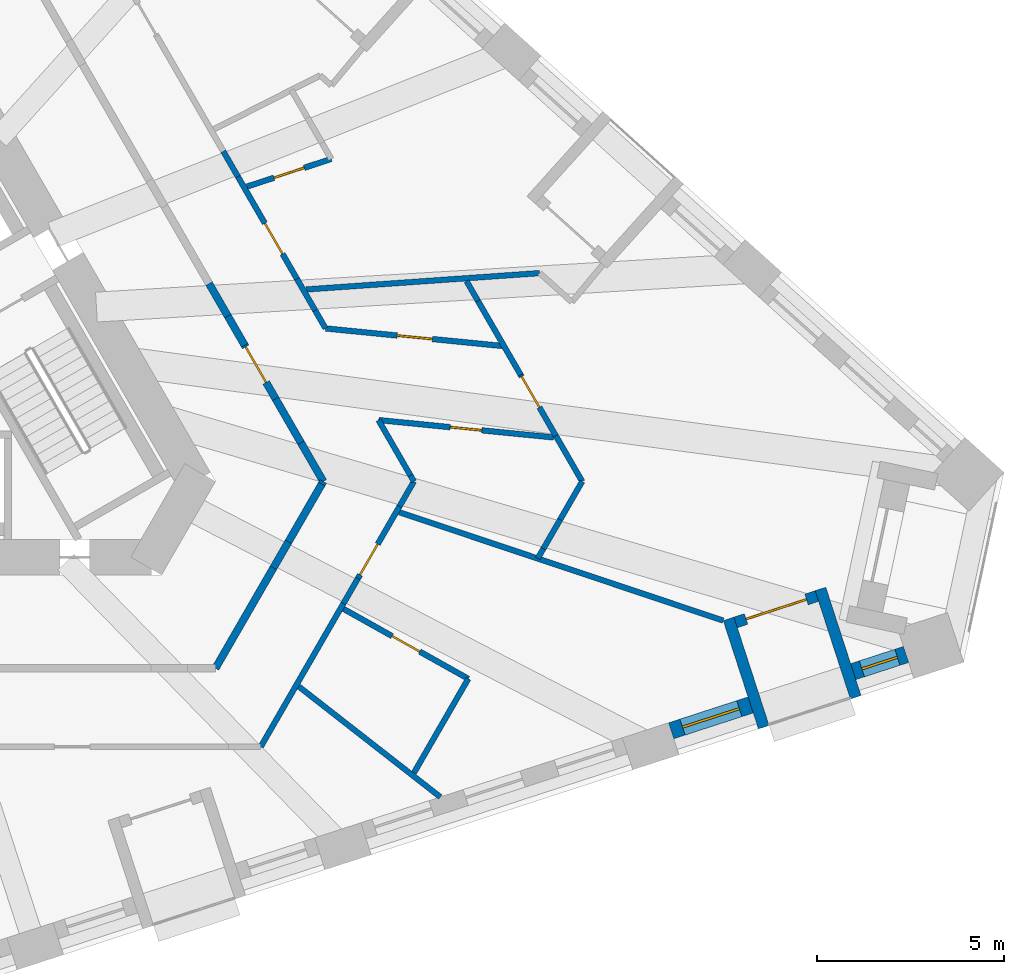
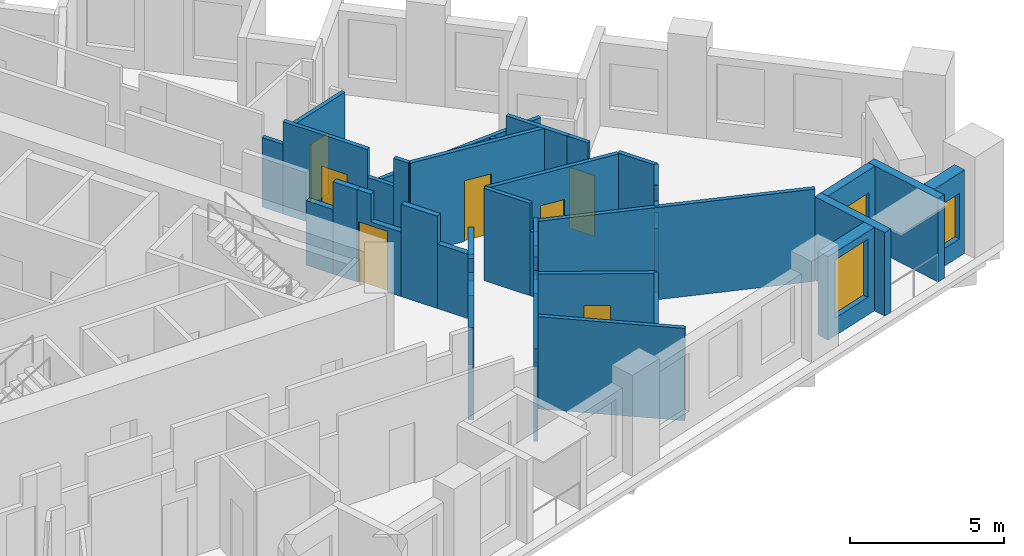
# One storey, part 6 of 13: 39 walls, 9 doors, 2 windows, 11 openings.
"""IFC4 building model written with IfcOpenShell, lengths in metres."""

from ifc_helpers import new_model, si_unit, direction, frame, frame_2d, origin, place, context, subcontext, project, spatial, polyline, rectangle, outline, extrude, material, layer, layer_set, type_object, element, fill, save


model = new_model("IFC4")

# Units and contexts
model_context = context("Model", 3, precision=1e-05, world=origin(), true_north=direction((0.0, 1.0)))
body_context = subcontext(model_context, "Body", "Model", "MODEL_VIEW")
ifc_project = project(units=[si_unit("LENGTHUNIT", "METRE"), si_unit("AREAUNIT", "SQUARE_METRE"), si_unit("VOLUMEUNIT", "CUBIC_METRE"), si_unit("PLANEANGLEUNIT", "RADIAN"), si_unit("MASSUNIT", "GRAM", prefix="KILO")], contexts=[model_context])

# Site, building, storey
site_placement = place(None, origin())
site = spatial("IfcSite", under=ifc_project, at=site_placement, CompositionType="ELEMENT")
building_placement = place(site_placement, origin())
building = spatial("IfcBuilding", under=site, at=building_placement, Name="Tramontana Tower", CompositionType="ELEMENT")
storey_placement = place(building_placement, frame((0.0, 0.0, 104.39990234375)))
storey = spatial("IfcBuildingStorey", under=building, at=storey_placement, Name="L23", CompositionType="ELEMENT", Elevation=104.39990234375)

# Walls
ifc_material_1 = material(Name="Blockwork", Category="masonry")
ifc_layer_1 = layer(ifc_material_1, 0.199951171875)
ifc_layer_set_1 = layer_set([ifc_layer_1], Name="ENTRY WALL 200")
wall_type_1 = type_object("IfcWallType", Name="ENTRY WALL 200", PredefinedType="SOLIDWALL", material=ifc_layer_set_1)
wall_1_placement = place(storey_placement, frame((10.077392578125, 1.04541015625, 0.0), z_axis=(0.0, 0.0, 1.0), x_axis=(0.500051323872, -0.865995769906, 0.0)))
element("IfcWall", 1, at=wall_1_placement, inside=storey, type_object=wall_type_1, Name="Wall v21-ew0-7", PredefinedType="SOLIDWALL", context=body_context, shape_type="SweptSolid", body=[
    extrude(rectangle(XDim=1.0068359375, YDim=0.199951171875, at=frame_2d((0.50341796875, 0.0))), origin(), (0.0, 0.0, 1.0), 2.550048828125),
])
wall_2_placement = place(storey_placement, frame((10.580810546875, 0.173583984375, 0.0), z_axis=(0.0, 0.0, 1.0), x_axis=(0.499902469156, -0.866081705922, 0.0)))
element("IfcWall", 2, at=wall_2_placement, inside=storey, type_object=wall_type_1, Name="Wall v21-ew0-8", PredefinedType="SOLIDWALL", context=body_context, shape_type="SweptSolid", body=[
    extrude(rectangle(XDim=0.900146484375, YDim=0.199951171875, at=frame_2d((0.4501953125, 0.0))), origin(), (0.0, 0.0, 1.0), 3.650146484375),
])

# Wall, opening, door
wall_3_placement = place(storey_placement, frame((11.03076171875, -0.60595703125, 0.0), z_axis=(0.0, 0.0, 1.0), x_axis=(0.49997779057, -0.866038226025, 0.0)))
wall_3 = element("IfcWall", 3, at=wall_3_placement, inside=storey, type_object=wall_type_1, Name="Wall v21-ew0-9", PredefinedType="SOLIDWALL", context=body_context, shape_type="SweptSolid", body=[
    extrude(outline(polyline([(0.0, 0.0), (1.6552734375, 0.0), (1.655517578125, 2.550048828125), (0.519287109375, 2.550048828125), (0.519287109375, 3.650146484375), (0.0, 3.650146484375), (0.0, 0.0)])), frame((0.0, 0.10009765625, 0.0), z_axis=(0.0, -1.0, 0.0), x_axis=(1.0, 0.0, 0.0)), (0.0, 0.0, 1.0), 0.199951171875),
])
opening_1_placement = place(wall_3_placement, frame((0.050048828125, 0.0, 0.0)))
opening_1 = element("IfcOpeningElement", 4, at=opening_1_placement, cuts=wall_3, Name="Opening B2B-28", PredefinedType="OPENING", context=body_context, shape_type="SweptSolid", body=[
    extrude(rectangle(XDim=1.10009765625, YDim=2.39990234375, at=frame_2d((0.550048828125, 1.199951171875))), frame((0.0, 0.10986328125, 0.0), z_axis=(0.0, -1.0, 0.0), x_axis=(1.0, 0.0, 0.0)), (0.0, 0.0, 1.0), 0.219970703125),
])
ifc_material_2 = material(Name="Painted timber", Category="wood")
door_type_1 = type_object("IfcDoorType", Name="DOOR ENTRY 1100", OperationType="SINGLE_SWING_LEFT", PredefinedType="DOOR", material=ifc_material_2)
door_1_placement = place(opening_1_placement, origin())
door_1 = element("IfcDoor", 5, at=door_1_placement, inside=storey, type_object=door_type_1, Name="Door B2B-28", OperationType="SINGLE_SWING_RIGHT", OverallHeight=2.39990234375, OverallWidth=1.10009765625, PredefinedType="DOOR", context=body_context, shape_type="SweptSolid", body=[
    extrude(rectangle(XDim=1.10009765625, YDim=2.39990234375, at=frame_2d((0.550048828125, 1.199951171875))), frame((0.0, 0.02490234375, 0.0), z_axis=(0.0, -1.0, 0.0), x_axis=(1.0, 0.0, 0.0)), (0.0, 0.0, 1.0), 0.050048828125),
])
fill(opening_1, door_1)

# Walls
wall_4_placement = place(storey_placement, frame((11.8583984375, -2.03955078125, 0.0), z_axis=(0.0, 0.0, 1.0), x_axis=(0.500038357328, -0.866003257038, 0.0)))
element("IfcWall", 6, at=wall_4_placement, inside=storey, type_object=wall_type_1, Name="Wall v21-ew0-10", PredefinedType="SOLIDWALL", context=body_context, shape_type="SweptSolid", body=[
    extrude(rectangle(XDim=1.3603515625, YDim=0.199951171875, at=frame_2d((0.68017578125, 0.0))), origin(), (0.0, 0.0, 1.0), 3.650146484375),
])
wall_5_placement = place(storey_placement, frame((12.53857421875, -3.217529296875, 0.0), z_axis=(0.0, 0.0, 1.0), x_axis=(0.500059236744, -0.865991200733, 0.0)))
element("IfcWall", 7, at=wall_5_placement, inside=storey, type_object=wall_type_1, Name="Wall v21-ew0-11", PredefinedType="SOLIDWALL", context=body_context, shape_type="SweptSolid", body=[
    extrude(rectangle(XDim=1.192138671875, YDim=0.199951171875, at=frame_2d((0.59619140625, 0.0))), origin(), (0.0, 0.0, 1.0), 2.550048828125),
])
wall_6_placement = place(storey_placement, frame((13.134765625, -4.25, 0.0), z_axis=(0.0, 0.0, 1.0), x_axis=(-0.501397775159, -0.865216892499, 0.0)))
element("IfcWall", 8, at=wall_6_placement, inside=storey, type_object=wall_type_1, Name="Wall v21-ew1-0", PredefinedType="SOLIDWALL", context=body_context, shape_type="SweptSolid", body=[
    extrude(rectangle(XDim=0.079833984375, YDim=0.199951171875, at=frame_2d((0.0400390625, 0.0))), origin(), (0.0, 0.0, 1.0), 2.550048828125),
])
wall_7_placement = place(storey_placement, frame((13.0947265625, -4.319091796875, 0.0), z_axis=(0.0, 0.0, 1.0), x_axis=(-0.499986405537, -0.866033252409, 0.0)))
element("IfcWall", 9, at=wall_7_placement, inside=storey, type_object=wall_type_1, Name="Wall v21-ew1-1", PredefinedType="SOLIDWALL", context=body_context, shape_type="SweptSolid", body=[
    extrude(rectangle(XDim=1.7880859375, YDim=0.199951171875, at=frame_2d((0.89404296875, 0.0))), origin(), (0.0, 0.0, 1.0), 3.650146484375),
])
wall_8_placement = place(storey_placement, frame((12.20068359375, -5.86767578125, 0.0), z_axis=(0.0, 0.0, 1.0), x_axis=(-0.499942357345, -0.866058681229, 0.0)))
element("IfcWall", 10, at=wall_8_placement, inside=storey, type_object=wall_type_1, Name="Wall v21-ew1-2", PredefinedType="SOLIDWALL", context=body_context, shape_type="SweptSolid", body=[
    extrude(rectangle(XDim=0.80078125, YDim=0.199951171875, at=frame_2d((0.400390625, 0.0))), origin(), (0.0, 0.0, 1.0), 2.75),
])
wall_9_placement = place(storey_placement, frame((11.80029296875, -6.561279296875, 0.0), z_axis=(0.0, 0.0, 1.0), x_axis=(-0.499978855264, -0.866037611359, 0.0)))
element("IfcWall", 11, at=wall_9_placement, inside=storey, type_object=wall_type_1, Name="Wall v21-ew1-3", PredefinedType="SOLIDWALL", context=body_context, shape_type="SweptSolid", body=[
    extrude(rectangle(XDim=3.104736328125, YDim=0.199951171875, at=frame_2d((1.55224609375, 0.0))), origin(), (0.0, 0.0, 1.0), 3.650146484375),
])

# Wall, opening, window
ifc_material_3 = material(Name="Precast concrete 60 MPa", Category="concrete")
ifc_layer_2 = layer(ifc_material_3, 0.449951171875)
ifc_layer_set_2 = layer_set([ifc_layer_2], Name="Precast concrete 60 MPa, 450 mm")
wall_type_2 = type_object("IfcWallType", Name="EW1 Stone-faced precast wall 450", PredefinedType="SOLIDWALL", material=ifc_layer_set_2)
wall_10_placement = place(storey_placement, frame((22.444580078125, -10.923828125, 0.0), z_axis=(0.0, 0.0, 1.0), x_axis=(0.951067749801, 0.30898241906, 0.0)))
wall_10 = element("IfcWall", 12, at=wall_10_placement, inside=storey, type_object=wall_type_2, Name="External wall L23 face 1 bay 6", PredefinedType="SOLIDWALL", context=body_context, shape_type="SweptSolid", body=[
    extrude(rectangle(XDim=2.23681640625, YDim=0.449951171875, at=frame_2d((1.118408203125, 0.0))), origin(), (0.0, 0.0, 1.0), 3.300048828125),
])
opening_2_placement = place(wall_10_placement, frame((0.318359375, 0.0, 0.699951171875)))
opening_2 = element("IfcOpeningElement", 13, at=opening_2_placement, cuts=wall_10, Name="Opening M1", PredefinedType="OPENING", context=body_context, shape_type="SweptSolid", body=[
    extrude(rectangle(XDim=1.60009765625, YDim=2.300048828125, at=frame_2d((0.800048828125, 1.14990234375))), frame((0.0, 0.23486328125, 0.0), z_axis=(0.0, -1.0, 0.0), x_axis=(1.0, 0.0, 0.0)), (0.0, 0.0, 1.0), 0.469970703125),
])
ifc_material_4 = material(Name="Aluminum frame, double glazing unit", Category="aluminium")
window_type_1 = type_object("IfcWindowType", Name="M1 Window 1.6 x 2.3", PartitioningType="SINGLE_PANEL", PredefinedType="WINDOW", material=ifc_material_4)
window_1_placement = place(opening_2_placement, origin())
window_1 = element("IfcWindow", 14, at=window_1_placement, inside=storey, type_object=window_type_1, Name="Window M1 L23 face 1 module 16", OverallHeight=2.300048828125, OverallWidth=1.60009765625, PartitioningType="SINGLE_PANEL", PredefinedType="WINDOW", context=body_context, shape_type="SweptSolid", body=[
    extrude(rectangle(XDim=1.60009765625, YDim=2.300048828125, at=frame_2d((0.800048828125, 1.14990234375))), frame((0.0, 0.030029296875, 0.0), z_axis=(0.0, -1.0, 0.0), x_axis=(1.0, 0.0, 0.0)), (0.0, 0.0, 1.0), 0.06005859375),
])
fill(opening_2, window_1)

wall_11_placement = place(storey_placement, frame((27.3173828125, -9.340576171875, 0.0), z_axis=(0.0, 0.0, 1.0), x_axis=(0.951053373744, 0.309026665985, 0.0)))
wall_11 = element("IfcWall", 15, at=wall_11_placement, inside=storey, type_object=wall_type_2, Name="External wall L23 face 1 bay 6", PredefinedType="SOLIDWALL", context=body_context, shape_type="SweptSolid", body=[
    extrude(rectangle(XDim=1.48681640625, YDim=0.449951171875, at=frame_2d((0.743408203125, 0.0))), origin(), (0.0, 0.0, 1.0), 3.300048828125),
])
opening_3_placement = place(wall_11_placement, frame((0.243408203125, 0.0, 0.699951171875)))
opening_3 = element("IfcOpeningElement", 16, at=opening_3_placement, cuts=wall_11, Name="Opening N1L", PredefinedType="OPENING", context=body_context, shape_type="SweptSolid", body=[
    extrude(rectangle(XDim=1.0, YDim=1.800048828125, at=frame_2d((0.5, 0.89990234375))), frame((0.0, 0.23486328125, 0.0), z_axis=(0.0, -1.0, 0.0), x_axis=(1.0, 0.0, 0.0)), (0.0, 0.0, 1.0), 0.469970703125),
])
ifc_material_5 = material(Name="Aluminum frame, double glazing unit", Category="aluminium")
window_type_2 = type_object("IfcWindowType", Name="N1L Window 1 x 1.8", PartitioningType="SINGLE_PANEL", PredefinedType="WINDOW", material=ifc_material_5)
window_2_placement = place(opening_3_placement, origin())
window_2 = element("IfcWindow", 17, at=window_2_placement, inside=storey, type_object=window_type_2, Name="Window N1L L23 face 1 module 18", OverallHeight=1.800048828125, OverallWidth=1.0, PartitioningType="SINGLE_PANEL", PredefinedType="WINDOW", context=body_context, shape_type="SweptSolid", body=[
    extrude(rectangle(XDim=1.0, YDim=1.800048828125, at=frame_2d((0.5, 0.89990234375))), frame((0.0, 0.030029296875, 0.0), z_axis=(0.0, -1.0, 0.0), x_axis=(1.0, 0.0, 0.0)), (0.0, 0.0, 1.0), 0.06005859375),
])
fill(opening_3, window_2)

# Wall, opening, door
ifc_material_6 = material(Name="Precast concrete 60 MPa", Category="concrete")
ifc_layer_3 = layer(ifc_material_6, 0.300048828125)
ifc_layer_set_3 = layer_set([ifc_layer_3], Name="LW1 Stone-faced loggia wall 300")
wall_type_3 = type_object("IfcWallType", Name="LW1 Stone-faced loggia wall 300", PredefinedType="SOLIDWALL", material=ifc_layer_set_3)
wall_12_placement = place(storey_placement, frame((24.169677734375, -8.02392578125, 0.0), z_axis=(0.0, 0.0, 1.0), x_axis=(0.95103720697, 0.309076416051, 0.0)))
wall_12 = element("IfcWall", 18, at=wall_12_placement, inside=storey, type_object=wall_type_3, Name="Loggia wall L23 G2S1.16", PredefinedType="SOLIDWALL", context=body_context, shape_type="SweptSolid", body=[
    extrude(rectangle(XDim=2.286865234375, YDim=0.300048828125, at=frame_2d((1.1435546875, 0.0))), origin(), (0.0, 0.0, 1.0), 3.300048828125),
])
opening_4_placement = place(wall_12_placement, frame((0.29345703125, 0.0, 0.0)))
opening_4 = element("IfcOpeningElement", 19, at=opening_4_placement, cuts=wall_12, Name="Opening BD-2S1-16", PredefinedType="OPENING", context=body_context, shape_type="SweptSolid", body=[
    extrude(rectangle(XDim=1.699951171875, YDim=2.39990234375, at=frame_2d((0.85009765625, 1.199951171875))), frame((0.0, 0.159912109375, 0.0), z_axis=(0.0, -1.0, 0.0), x_axis=(1.0, 0.0, 0.0)), (0.0, 0.0, 1.0), 0.320068359375),
])
ifc_material_7 = material(Name="Aluminum frame, double glazing unit", Category="aluminium")
door_type_2 = type_object("IfcDoorType", Name="BD1 Sliding door 1.7 x 2.4", OperationType="SLIDING_TO_LEFT", PredefinedType="DOOR", material=ifc_material_7)
door_2_placement = place(opening_4_placement, origin())
door_2 = element("IfcDoor", 20, at=door_2_placement, inside=storey, type_object=door_type_2, Name="Loggia door L23 G2S1.16", OperationType="SLIDING_TO_LEFT", OverallHeight=2.39990234375, OverallWidth=1.699951171875, PredefinedType="DOOR", context=body_context, shape_type="SweptSolid", body=[
    extrude(rectangle(XDim=1.699951171875, YDim=2.39990234375, at=frame_2d((0.85009765625, 1.199951171875))), frame((0.0, 0.02490234375, 0.0), z_axis=(0.0, -1.0, 0.0), x_axis=(1.0, 0.0, 0.0)), (0.0, 0.0, 1.0), 0.050048828125),
])
fill(opening_4, door_2)

# Walls
wall_13_placement = place(storey_placement, frame((24.923095703125, -10.828369140625, 0.0), z_axis=(0.0, 0.0, 1.0), x_axis=(-0.308966615996, 0.951072883748, 0.0)))
element("IfcWall", 21, at=wall_13_placement, inside=storey, type_object=wall_type_3, Name="Loggia return L23 G2S1.16a", PredefinedType="SOLIDWALL", context=body_context, shape_type="SweptSolid", body=[
    extrude(rectangle(XDim=3.050048828125, YDim=0.300048828125, at=frame_2d((1.52490234375, 0.0))), origin(), (0.0, 0.0, 1.0), 3.300048828125),
])
wall_14_placement = place(storey_placement, frame((27.38330078125, -10.02880859375, 0.0), z_axis=(0.0, 0.0, 1.0), x_axis=(-0.308990138358, 0.951065241925, 0.0)))
element("IfcWall", 22, at=wall_14_placement, inside=storey, type_object=wall_type_3, Name="Loggia return L23 G2S1.16b", PredefinedType="SOLIDWALL", context=body_context, shape_type="SweptSolid", body=[
    extrude(rectangle(XDim=3.0498046875, YDim=0.300048828125, at=frame_2d((1.52490234375, 0.0))), origin(), (0.0, 0.0, 1.0), 3.300048828125),
])
ifc_material_8 = material(Name="Gypsum board partition")
ifc_layer_4 = layer(ifc_material_8, 0.14990234375)
ifc_layer_set_4 = layer_set([ifc_layer_4], Name="PARTITION 150")
wall_type_4 = type_object("IfcWallType", Name="PARTITION 150", PredefinedType="PARTITIONING", material=ifc_layer_set_4)
wall_15_placement = place(storey_placement, frame((10.4580078125, 4.58642578125, 0.0), z_axis=(0.0, 0.0, 1.0), x_axis=(0.49979442921, -0.866144057608, 0.0)))
element("IfcWall", 23, at=wall_15_placement, inside=storey, type_object=wall_type_4, Name="Wall v21-pw40-4", PredefinedType="PARTITIONING", context=body_context, shape_type="SweptSolid", body=[
    extrude(rectangle(XDim=0.782958984375, YDim=0.14990234375, at=frame_2d((0.3916015625, 0.0))), origin(), (0.0, 0.0, 1.0), 2.75),
])

# Wall, opening, door
wall_16_placement = place(storey_placement, frame((10.849365234375, 3.908203125, 0.0), z_axis=(0.0, 0.0, 1.0), x_axis=(0.500027861653, -0.866009317254, 0.0)))
wall_16 = element("IfcWall", 24, at=wall_16_placement, inside=storey, type_object=wall_type_4, Name="Wall v21-pw40-5", PredefinedType="PARTITIONING", context=body_context, shape_type="SweptSolid", body=[
    extrude(rectangle(XDim=3.159912109375, YDim=0.14990234375, at=frame_2d((1.580078125, 0.0))), origin(), (0.0, 0.0, 1.0), 3.650146484375),
])
opening_5_placement = place(wall_16_placement, frame((1.440673828125, 0.0, 0.0)))
opening_5 = element("IfcOpeningElement", 25, at=opening_5_placement, cuts=wall_16, Name="Opening B2B-22", PredefinedType="OPENING", context=body_context, shape_type="SweptSolid", body=[
    extrude(rectangle(XDim=0.949951171875, YDim=2.39990234375, at=frame_2d((0.47509765625, 1.199951171875))), frame((0.0, 0.0849609375, 0.0), z_axis=(0.0, -1.0, 0.0), x_axis=(1.0, 0.0, 0.0)), (0.0, 0.0, 1.0), 0.169921875),
])
ifc_material_9 = material(Name="Painted timber", Category="wood")
door_type_3 = type_object("IfcDoorType", Name="DOOR ROOM 950", OperationType="SINGLE_SWING_LEFT", PredefinedType="DOOR", material=ifc_material_9)
door_3_placement = place(opening_5_placement, origin())
door_3 = element("IfcDoor", 26, at=door_3_placement, inside=storey, type_object=door_type_3, Name="Door B2B-22", OperationType="SINGLE_SWING_RIGHT", OverallHeight=2.39990234375, OverallWidth=0.949951171875, PredefinedType="DOOR", context=body_context, shape_type="SweptSolid", body=[
    extrude(rectangle(XDim=0.949951171875, YDim=2.39990234375, at=frame_2d((0.47509765625, 1.199951171875))), frame((0.0, 0.02490234375, 0.0), z_axis=(0.0, -1.0, 0.0), x_axis=(1.0, 0.0, 0.0)), (0.0, 0.0, 1.0), 0.050048828125),
])
fill(opening_5, door_3)

# Walls
wall_17_placement = place(storey_placement, frame((12.429443359375, 1.171630859375, 0.0), z_axis=(0.0, 0.0, 1.0), x_axis=(0.499895202697, -0.866085900082, 0.0)))
element("IfcWall", 27, at=wall_17_placement, inside=storey, type_object=wall_type_4, Name="Wall v21-pw40-6", PredefinedType="PARTITIONING", context=body_context, shape_type="SweptSolid", body=[
    extrude(rectangle(XDim=0.978759765625, YDim=0.14990234375, at=frame_2d((0.4892578125, 0.0))), origin(), (0.0, 0.0, 1.0), 2.550048828125),
])
wall_18_placement = place(storey_placement, frame((12.918701171875, 0.323974609375, 0.0), z_axis=(0.0, 0.0, 1.0), x_axis=(0.499990325971, -0.866030989016, 0.0)))
element("IfcWall", 28, at=wall_18_placement, inside=storey, type_object=wall_type_4, Name="Wall v21-pw40-7", PredefinedType="PARTITIONING", context=body_context, shape_type="SweptSolid", body=[
    extrude(rectangle(XDim=0.55224609375, YDim=0.14990234375, at=frame_2d((0.276123046875, 0.0))), origin(), (0.0, 0.0, 1.0), 3.650146484375),
])
wall_19_placement = place(storey_placement, frame((12.6796875, 0.88818359375, 0.0), z_axis=(0.0, 0.0, 1.0), x_axis=(0.997556875713, 0.069858998838, 0.0)))
element("IfcWall", 29, at=wall_19_placement, inside=storey, type_object=wall_type_4, Name="Wall v21-pw46-0", PredefinedType="PARTITIONING", context=body_context, shape_type="SweptSolid", body=[
    extrude(rectangle(XDim=6.2626953125, YDim=0.14990234375, at=frame_2d((3.13134765625, 0.0))), origin(), (0.0, 0.0, 1.0), 2.550048828125),
])

# Wall, opening, door
wall_20_placement = place(storey_placement, frame((13.1962890625, -0.1552734375, 0.0), z_axis=(0.0, 0.0, 1.0), x_axis=(0.995106998525, -0.098803145129, 0.0)))
wall_20 = element("IfcWall", 30, at=wall_20_placement, inside=storey, type_object=wall_type_4, Name="Wall v21-pw48", PredefinedType="PARTITIONING", context=body_context, shape_type="SweptSolid", body=[
    extrude(rectangle(XDim=4.796142578125, YDim=0.14990234375, at=frame_2d((2.39794921875, 0.0))), origin(), (0.0, 0.0, 1.0), 3.650146484375),
])
opening_6_placement = place(wall_20_placement, frame((1.923095703125, 0.0, 0.0)))
opening_6 = element("IfcOpeningElement", 31, at=opening_6_placement, cuts=wall_20, Name="Opening B2B-17", PredefinedType="OPENING", context=body_context, shape_type="SweptSolid", body=[
    extrude(rectangle(XDim=0.949951171875, YDim=2.39990234375, at=frame_2d((0.47509765625, 1.199951171875))), frame((0.0, 0.0849609375, 0.0), z_axis=(0.0, -1.0, 0.0), x_axis=(1.0, 0.0, 0.0)), (0.0, 0.0, 1.0), 0.169921875),
])
door_4_placement = place(opening_6_placement, origin())
door_4 = element("IfcDoor", 32, at=door_4_placement, inside=storey, type_object=door_type_3, Name="Door B2B-17", OperationType="SINGLE_SWING_LEFT", OverallHeight=2.39990234375, OverallWidth=0.949951171875, PredefinedType="DOOR", context=body_context, shape_type="SweptSolid", body=[
    extrude(rectangle(XDim=0.949951171875, YDim=2.39990234375, at=frame_2d((0.47509765625, 1.199951171875))), frame((0.0, 0.02490234375, 0.0), z_axis=(0.0, -1.0, 0.0), x_axis=(1.0, 0.0, 0.0)), (0.0, 0.0, 1.0), 0.050048828125),
])
fill(opening_6, door_4)

wall_21_placement = place(storey_placement, frame((11.0908203125, 3.64013671875, 0.0), z_axis=(0.0, 0.0, 1.0), x_axis=(0.950142716329, 0.311815359799, 0.0)))
wall_21 = element("IfcWall", 33, at=wall_21_placement, inside=storey, type_object=wall_type_4, Name="Wall v21-pw49", PredefinedType="PARTITIONING", context=body_context, shape_type="SweptSolid", body=[
    extrude(rectangle(XDim=2.37548828125, YDim=0.14990234375, at=frame_2d((1.187744140625, 0.0))), origin(), (0.0, 0.0, 1.0), 3.650146484375),
])
opening_7_placement = place(wall_21_placement, frame((0.7626953125, 0.0, 0.0)))
opening_7 = element("IfcOpeningElement", 34, at=opening_7_placement, cuts=wall_21, Name="Opening B2B-25", PredefinedType="OPENING", context=body_context, shape_type="SweptSolid", body=[
    extrude(rectangle(XDim=0.85009765625, YDim=2.39990234375, at=frame_2d((0.425048828125, 1.199951171875))), frame((0.0, 0.0849609375, 0.0), z_axis=(0.0, -1.0, 0.0), x_axis=(1.0, 0.0, 0.0)), (0.0, 0.0, 1.0), 0.169921875),
])
ifc_material_10 = material(Name="Painted timber", Category="wood")
door_type_4 = type_object("IfcDoorType", Name="DOOR BATH 850", OperationType="SINGLE_SWING_LEFT", PredefinedType="DOOR", material=ifc_material_10)
door_5_placement = place(opening_7_placement, origin())
door_5 = element("IfcDoor", 35, at=door_5_placement, inside=storey, type_object=door_type_4, Name="Door B2B-25", OperationType="SINGLE_SWING_LEFT", OverallHeight=2.39990234375, OverallWidth=0.85009765625, PredefinedType="DOOR", context=body_context, shape_type="SweptSolid", body=[
    extrude(rectangle(XDim=0.85009765625, YDim=2.39990234375, at=frame_2d((0.425048828125, 1.199951171875))), frame((0.0, 0.02490234375, 0.0), z_axis=(0.0, -1.0, 0.0), x_axis=(1.0, 0.0, 0.0)), (0.0, 0.0, 1.0), 0.050048828125),
])
fill(opening_7, door_5)

wall_22_placement = place(storey_placement, frame((17.01416015625, -9.53076171875, 0.0), z_axis=(0.0, 0.0, 1.0), x_axis=(-0.872429824654, 0.488739399941, 0.0)))
wall_22 = element("IfcWall", 36, at=wall_22_placement, inside=storey, type_object=wall_type_4, Name="Wall v21-pw51", PredefinedType="PARTITIONING", context=body_context, shape_type="SweptSolid", body=[
    extrude(rectangle(XDim=3.825439453125, YDim=0.14990234375, at=frame_2d((1.91259765625, 0.0))), origin(), (0.0, 0.0, 1.0), 3.650146484375),
])
opening_8_placement = place(wall_22_placement, frame((1.487548828125, 0.0, 0.0)))
opening_8 = element("IfcOpeningElement", 37, at=opening_8_placement, cuts=wall_22, Name="Opening B2B-24", PredefinedType="OPENING", context=body_context, shape_type="SweptSolid", body=[
    extrude(rectangle(XDim=0.85009765625, YDim=2.39990234375, at=frame_2d((0.425048828125, 1.199951171875))), frame((0.0, 0.0849609375, 0.0), z_axis=(0.0, -1.0, 0.0), x_axis=(1.0, 0.0, 0.0)), (0.0, 0.0, 1.0), 0.169921875),
])
door_6_placement = place(opening_8_placement, origin())
door_6 = element("IfcDoor", 38, at=door_6_placement, inside=storey, type_object=door_type_4, Name="Door B2B-24", OperationType="SINGLE_SWING_RIGHT", OverallHeight=2.39990234375, OverallWidth=0.85009765625, PredefinedType="DOOR", context=body_context, shape_type="SweptSolid", body=[
    extrude(rectangle(XDim=0.85009765625, YDim=2.39990234375, at=frame_2d((0.425048828125, 1.199951171875))), frame((0.0, 0.02490234375, 0.0), z_axis=(0.0, -1.0, 0.0), x_axis=(1.0, 0.0, 0.0)), (0.0, 0.0, 1.0), 0.050048828125),
])
fill(opening_8, door_6)

# Walls
wall_23_placement = place(storey_placement, frame((14.613037109375, -2.6103515625, 0.0), z_axis=(0.0, 0.0, 1.0), x_axis=(0.499899519003, -0.866083408743, 0.0)))
element("IfcWall", 39, at=wall_23_placement, inside=storey, type_object=wall_type_4, Name="Wall v21-pw52-0", PredefinedType="PARTITIONING", context=body_context, shape_type="SweptSolid", body=[
    extrude(rectangle(XDim=1.710693359375, YDim=0.14990234375, at=frame_2d((0.85546875, 0.0))), origin(), (0.0, 0.0, 1.0), 3.650146484375),
])
wall_24_placement = place(storey_placement, frame((15.46826171875, -4.092041015625, 0.0), z_axis=(0.0, 0.0, 1.0), x_axis=(0.50045593687, -0.865762008436, 0.0)))
element("IfcWall", 40, at=wall_24_placement, inside=storey, type_object=wall_type_4, Name="Wall v21-pw52-1", PredefinedType="PARTITIONING", context=body_context, shape_type="SweptSolid", body=[
    extrude(rectangle(XDim=0.182373046875, YDim=0.14990234375, at=frame_2d((0.09130859375, 0.0))), origin(), (0.0, 0.0, 1.0), 2.550048828125),
])
wall_25_placement = place(storey_placement, frame((15.5595703125, -4.25, 0.0), z_axis=(0.0, 0.0, 1.0), x_axis=(-0.500124558158, -0.865953478154, 0.0)))
element("IfcWall", 41, at=wall_25_placement, inside=storey, type_object=wall_type_4, Name="Wall v21-pw53-0", PredefinedType="PARTITIONING", context=body_context, shape_type="SweptSolid", body=[
    extrude(rectangle(XDim=0.770751953125, YDim=0.14990234375, at=frame_2d((0.38525390625, 0.0))), origin(), (0.0, 0.0, 1.0), 2.550048828125),
])

# Wall, opening, door
wall_26_placement = place(storey_placement, frame((15.174072265625, -4.91748046875, 0.0), z_axis=(0.0, 0.0, 1.0), x_axis=(-0.49993766618, -0.866061389241, 0.0)))
wall_26 = element("IfcWall", 42, at=wall_26_placement, inside=storey, type_object=wall_type_4, Name="Wall v21-pw53-1", PredefinedType="PARTITIONING", context=body_context, shape_type="SweptSolid", body=[
    extrude(rectangle(XDim=2.225830078125, YDim=0.14990234375, at=frame_2d((1.11279296875, 0.0))), origin(), (0.0, 0.0, 1.0), 3.650146484375),
])
opening_9_placement = place(wall_26_placement, frame((1.16455078125, 0.0, 0.0)))
opening_9 = element("IfcOpeningElement", 43, at=opening_9_placement, cuts=wall_26, Name="Opening B2B-20", PredefinedType="OPENING", context=body_context, shape_type="SweptSolid", body=[
    extrude(rectangle(XDim=0.949951171875, YDim=2.39990234375, at=frame_2d((0.47509765625, 1.199951171875))), frame((0.0, 0.0849609375, 0.0), z_axis=(0.0, -1.0, 0.0), x_axis=(1.0, 0.0, 0.0)), (0.0, 0.0, 1.0), 0.169921875),
])
door_7_placement = place(opening_9_placement, origin())
door_7 = element("IfcDoor", 44, at=door_7_placement, inside=storey, type_object=door_type_3, Name="Door B2B-20", OperationType="SINGLE_SWING_RIGHT", OverallHeight=2.39990234375, OverallWidth=0.949951171875, PredefinedType="DOOR", context=body_context, shape_type="SweptSolid", body=[
    extrude(rectangle(XDim=0.949951171875, YDim=2.39990234375, at=frame_2d((0.47509765625, 1.199951171875))), frame((0.0, 0.02490234375, 0.0), z_axis=(0.0, -1.0, 0.0), x_axis=(1.0, 0.0, 0.0)), (0.0, 0.0, 1.0), 0.050048828125),
])
fill(opening_9, door_7)

# Walls
wall_27_placement = place(storey_placement, frame((14.061279296875, -6.84521484375, 0.0), z_axis=(0.0, 0.0, 1.0), x_axis=(-0.500031167255, -0.866007408613, 0.0)))
element("IfcWall", 45, at=wall_27_placement, inside=storey, type_object=wall_type_4, Name="Wall v21-pw53-2", PredefinedType="PARTITIONING", context=body_context, shape_type="SweptSolid", body=[
    extrude(rectangle(XDim=0.77587890625, YDim=0.14990234375, at=frame_2d((0.387939453125, 0.0))), origin(), (0.0, 0.0, 1.0), 2.75),
])
wall_28_placement = place(storey_placement, frame((13.67333984375, -7.51708984375, 0.0), z_axis=(0.0, 0.0, 1.0), x_axis=(-0.500007369519, -0.866021148949, 0.0)))
element("IfcWall", 46, at=wall_28_placement, inside=storey, type_object=wall_type_4, Name="Wall v21-pw53-3", PredefinedType="PARTITIONING", context=body_context, shape_type="SweptSolid", body=[
    extrude(rectangle(XDim=4.42578125, YDim=0.14990234375, at=frame_2d((2.212890625, 0.0))), origin(), (0.0, 0.0, 1.0), 3.650146484375),
])
wall_29_placement = place(storey_placement, frame((16.26611328125, -12.69482421875, 0.0), z_axis=(0.0, 0.0, 1.0), x_axis=(-0.788330807592, 0.615251605281, 0.0)))
element("IfcWall", 47, at=wall_29_placement, inside=storey, type_object=wall_type_4, Name="Wall v21-pw54", PredefinedType="PARTITIONING", context=body_context, shape_type="SweptSolid", body=[
    extrude(rectangle(XDim=4.805908203125, YDim=0.14990234375, at=frame_2d((2.40283203125, 0.0))), origin(), (0.0, 0.0, 1.0), 3.650146484375),
])
wall_30_placement = place(storey_placement, frame((16.966552734375, 1.11328125, 0.0), z_axis=(0.0, 0.0, 1.0), x_axis=(0.4998141712, -0.866132665513, 0.0)))
element("IfcWall", 48, at=wall_30_placement, inside=storey, type_object=wall_type_4, Name="Wall v21-pw55-0", PredefinedType="PARTITIONING", context=body_context, shape_type="SweptSolid", body=[
    extrude(rectangle(XDim=0.614501953125, YDim=0.14990234375, at=frame_2d((0.30712890625, 0.0))), origin(), (0.0, 0.0, 1.0), 2.550048828125),
])
wall_31_placement = place(storey_placement, frame((17.273681640625, 0.5810546875, 0.0), z_axis=(0.0, 0.0, 1.0), x_axis=(0.500030411023, -0.86600784526, 0.0)))
element("IfcWall", 49, at=wall_31_placement, inside=storey, type_object=wall_type_4, Name="Wall v21-pw55-1", PredefinedType="PARTITIONING", context=body_context, shape_type="SweptSolid", body=[
    extrude(rectangle(XDim=2.287353515625, YDim=0.14990234375, at=frame_2d((1.1435546875, 0.0))), origin(), (0.0, 0.0, 1.0), 3.650146484375),
])

# Wall, opening, door
wall_32_placement = place(storey_placement, frame((18.41748046875, -1.39990234375, 0.0), z_axis=(0.0, 0.0, 1.0), x_axis=(0.499962016178, -0.866047332643, 0.0)))
wall_32 = element("IfcWall", 50, at=wall_32_placement, inside=storey, type_object=wall_type_4, Name="Wall v21-pw55-2", PredefinedType="PARTITIONING", context=body_context, shape_type="SweptSolid", body=[
    extrude(outline(polyline([(0.0, 0.0), (1.882080078125, 0.0), (1.8818359375, 2.550048828125), (0.777099609375, 2.550048828125), (0.777099609375, 3.650146484375), (0.0, 3.650146484375), (0.0, 0.0)])), frame((0.0, 0.074951171875, 0.0), z_axis=(0.0, -1.0, 0.0), x_axis=(1.0, 0.0, 0.0)), (0.0, 0.0, 1.0), 0.14990234375),
])
opening_10_placement = place(wall_32_placement, frame((0.050048828125, 0.0, 0.0)))
opening_10 = element("IfcOpeningElement", 51, at=opening_10_placement, cuts=wall_32, Name="Opening B2B-19", PredefinedType="OPENING", context=body_context, shape_type="SweptSolid", body=[
    extrude(rectangle(XDim=0.949951171875, YDim=2.39990234375, at=frame_2d((0.47509765625, 1.199951171875))), frame((0.0, 0.0849609375, 0.0), z_axis=(0.0, -1.0, 0.0), x_axis=(1.0, 0.0, 0.0)), (0.0, 0.0, 1.0), 0.169921875),
])
door_8_placement = place(opening_10_placement, origin())
door_8 = element("IfcDoor", 52, at=door_8_placement, inside=storey, type_object=door_type_3, Name="Door B2B-19", OperationType="SINGLE_SWING_LEFT", OverallHeight=2.39990234375, OverallWidth=0.949951171875, PredefinedType="DOOR", context=body_context, shape_type="SweptSolid", body=[
    extrude(rectangle(XDim=0.949951171875, YDim=2.39990234375, at=frame_2d((0.47509765625, 1.199951171875))), frame((0.0, 0.02490234375, 0.0), z_axis=(0.0, -1.0, 0.0), x_axis=(1.0, 0.0, 0.0)), (0.0, 0.0, 1.0), 0.050048828125),
])
fill(opening_10, door_8)

# Walls
wall_33_placement = place(storey_placement, frame((19.3583984375, -3.02978515625, 0.0), z_axis=(0.0, 0.0, 1.0), x_axis=(0.500052415518, -0.865995139556, 0.0)))
element("IfcWall", 53, at=wall_33_placement, inside=storey, type_object=wall_type_4, Name="Wall v21-pw55-3", PredefinedType="PARTITIONING", context=body_context, shape_type="SweptSolid", body=[
    extrude(rectangle(XDim=1.408935546875, YDim=0.14990234375, at=frame_2d((0.70458984375, 0.0))), origin(), (0.0, 0.0, 1.0), 3.650146484375),
])
wall_34_placement = place(storey_placement, frame((17.01416015625, -9.53076171875, 0.0), z_axis=(0.0, 0.0, 1.0), x_axis=(-0.500013181875, -0.866017793092, 0.0)))
element("IfcWall", 54, at=wall_34_placement, inside=storey, type_object=wall_type_4, Name="Wall v21-pw56", PredefinedType="PARTITIONING", context=body_context, shape_type="SweptSolid", body=[
    extrude(rectangle(XDim=2.90771484375, YDim=0.14990234375, at=frame_2d((1.453857421875, 0.0))), origin(), (0.0, 0.0, 1.0), 3.650146484375),
])

# Wall, opening, door
wall_35_placement = place(storey_placement, frame((19.29638671875, -3.072509765625, 0.0), z_axis=(0.0, 0.0, 1.0), x_axis=(-0.99510121035, 0.098861424027, 0.0)))
wall_35 = element("IfcWall", 55, at=wall_35_placement, inside=storey, type_object=wall_type_4, Name="Wall v21-pw58", PredefinedType="PARTITIONING", context=body_context, shape_type="SweptSolid", body=[
    extrude(rectangle(XDim=4.704345703125, YDim=0.14990234375, at=frame_2d((2.35205078125, 0.0))), origin(), (0.0, 0.0, 1.0), 3.650146484375),
])
opening_11_placement = place(wall_35_placement, frame((1.92724609375, 0.0, 0.0)))
opening_11 = element("IfcOpeningElement", 56, at=opening_11_placement, cuts=wall_35, Name="Opening B2B-18", PredefinedType="OPENING", context=body_context, shape_type="SweptSolid", body=[
    extrude(rectangle(XDim=0.85009765625, YDim=2.39990234375, at=frame_2d((0.425048828125, 1.199951171875))), frame((0.0, 0.0849609375, 0.0), z_axis=(0.0, -1.0, 0.0), x_axis=(1.0, 0.0, 0.0)), (0.0, 0.0, 1.0), 0.169921875),
])
door_9_placement = place(opening_11_placement, origin())
door_9 = element("IfcDoor", 57, at=door_9_placement, inside=storey, type_object=door_type_4, Name="Door B2B-18", OperationType="SINGLE_SWING_RIGHT", OverallHeight=2.39990234375, OverallWidth=0.85009765625, PredefinedType="DOOR", context=body_context, shape_type="SweptSolid", body=[
    extrude(rectangle(XDim=0.85009765625, YDim=2.39990234375, at=frame_2d((0.425048828125, 1.199951171875))), frame((0.0, 0.02490234375, 0.0), z_axis=(0.0, -1.0, 0.0), x_axis=(1.0, 0.0, 0.0)), (0.0, 0.0, 1.0), 0.050048828125),
])
fill(opening_11, door_9)

# Walls
wall_36_placement = place(storey_placement, frame((20.06298828125, -4.25, 0.0), z_axis=(0.0, 0.0, 1.0), x_axis=(-0.500063427972, -0.865988780531, 0.0)))
element("IfcWall", 58, at=wall_36_placement, inside=storey, type_object=wall_type_4, Name="Wall v21-pw60-0", PredefinedType="PARTITIONING", context=body_context, shape_type="SweptSolid", body=[
    extrude(rectangle(XDim=1.177490234375, YDim=0.14990234375, at=frame_2d((0.5888671875, 0.0))), origin(), (0.0, 0.0, 1.0), 3.650146484375),
])
wall_37_placement = place(storey_placement, frame((19.47412109375, -5.269775390625, 0.0), z_axis=(0.0, 0.0, 1.0), x_axis=(-0.499988457423, -0.866032067792, 0.0)))
element("IfcWall", 59, at=wall_37_placement, inside=storey, type_object=wall_type_4, Name="Wall v21-pw60-1", PredefinedType="PARTITIONING", context=body_context, shape_type="SweptSolid", body=[
    extrude(rectangle(XDim=0.900390625, YDim=0.14990234375, at=frame_2d((0.4501953125, 0.0))), origin(), (0.0, 0.0, 1.0), 2.550048828125),
])
wall_38_placement = place(storey_placement, frame((19.02392578125, -6.049560546875, 0.0), z_axis=(0.0, 0.0, 1.0), x_axis=(-0.499980071345, -0.866036909293, 0.0)))
element("IfcWall", 60, at=wall_38_placement, inside=storey, type_object=wall_type_4, Name="Wall v21-pw60-2", PredefinedType="PARTITIONING", context=body_context, shape_type="SweptSolid", body=[
    extrude(rectangle(XDim=0.30078125, YDim=0.14990234375, at=frame_2d((0.150390625, 0.0))), origin(), (0.0, 0.0, 1.0), 3.650146484375),
])
wall_39_placement = place(storey_placement, frame((23.837890625, -7.973876953125, 0.0), z_axis=(0.0, 0.0, 1.0), x_axis=(-0.948348871776, 0.317229282067, 0.0)))
element("IfcWall", 61, at=wall_39_placement, inside=storey, type_object=wall_type_4, Name="Wall v21-pw62", PredefinedType="PARTITIONING", context=body_context, shape_type="SweptSolid", body=[
    extrude(rectangle(XDim=9.139892578125, YDim=0.14990234375, at=frame_2d((4.56982421875, 0.0))), origin(), (0.0, 0.0, 1.0), 3.650146484375),
])

save(model, "model.ifc")
